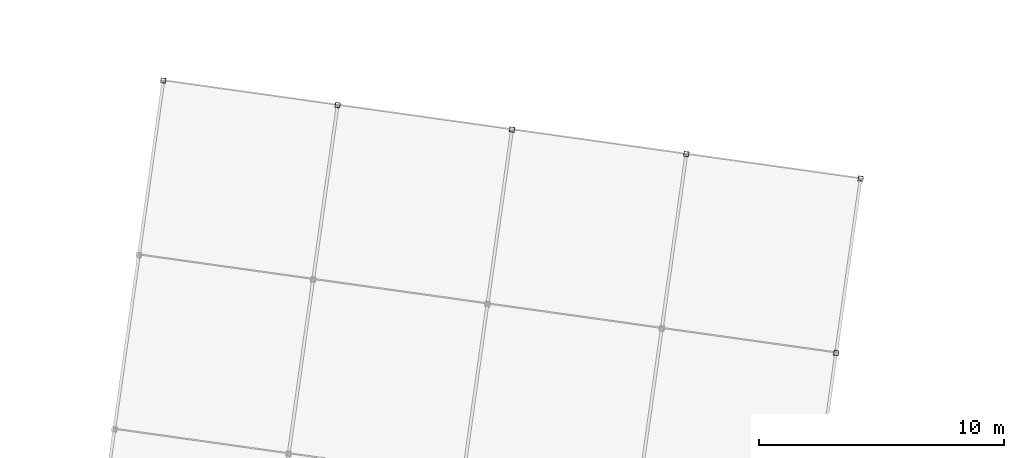
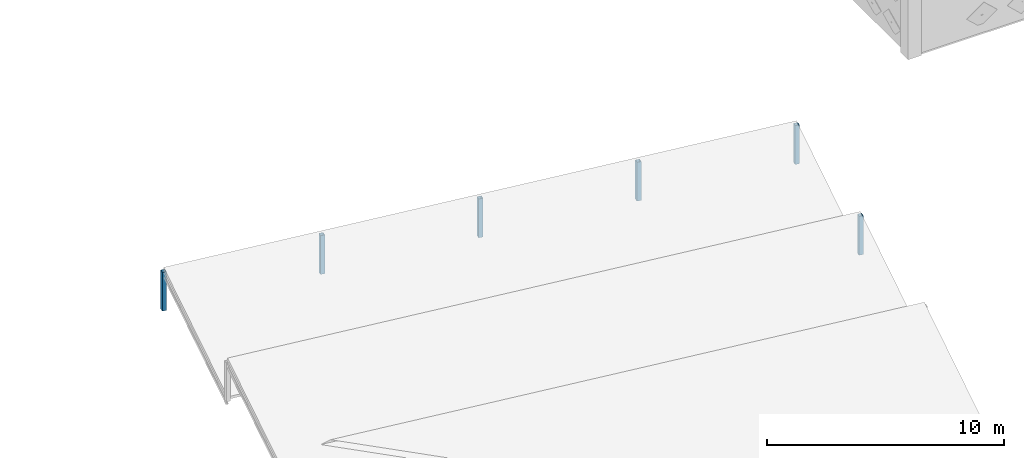
# One storey, part 3 of 48: 6 columns.
"""IFC4 building model written with IfcOpenShell, lengths in metres."""

from ifc_helpers import new_model, si_unit, direction, frame, origin, origin_2d, place, context, subcontext, project, spatial, hollow_rectangle, extrude, material, material_profile, profile_set, type_object, element, save


model = new_model("IFC4")

# Units and contexts
model_context = context("Model", 3, precision=1e-05, world=origin(), true_north=direction((0.0, 1.0)))
body_context = subcontext(model_context, "Body", "Model", "MODEL_VIEW")
ifc_project = project(units=[si_unit("LENGTHUNIT", "METRE"), si_unit("AREAUNIT", "SQUARE_METRE"), si_unit("VOLUMEUNIT", "CUBIC_METRE"), si_unit("PLANEANGLEUNIT", "RADIAN"), si_unit("MASSUNIT", "GRAM", prefix="KILO")], contexts=[model_context])

# Site, building, storey
site_placement = place(None, origin())
site = spatial("IfcSite", under=ifc_project, at=site_placement, CompositionType="ELEMENT")
building_placement = place(site_placement, origin())
building = spatial("IfcBuilding", under=site, at=building_placement, Name="Kharisveld Research Institute", CompositionType="ELEMENT")
storey_placement = place(building_placement, frame((0.0, 0.0, 14.10009765625)))
storey = spatial("IfcBuildingStorey", under=building, at=storey_placement, Name="L03", CompositionType="ELEMENT", Elevation=14.10009765625)

# Columns
ifc_material = material(Name="Steel S355J2H", Category="steel")
ifc_material_profile = material_profile(ifc_material, hollow_rectangle(XDim=0.199951171875, YDim=0.199951171875, WallThickness=0.010009765625, at=origin_2d()))
ifc_profile_set = profile_set([ifc_material_profile], Name="Steel S355J2H")
column_type = type_object("IfcColumnType", Name="COL_ST_SHS200", PredefinedType="COLUMN", material=ifc_profile_set)
for number, where, z_axis, x_axis, name in (
    (1, (105.52392578125, 27.751708984375, -0.175048828125), (0.0, 0.0, 1.0), (0.990268068742, -0.13917310096, 0.0), "COL:V4:L03:SAWPOST_1_4"),
    (2, (78.006103515625, 38.889892578125, -0.175048828125), (0.0, 0.0, 1.0), (0.990268068742, -0.13917310096, 0.0), "COL:V4:L03:SAWPOST_2_0"),
    (3, (85.135986328125, 37.8876953125, -0.175048828125), (0.0, 0.0, 1.0), (0.990268068742, -0.13917310096, 0.0), "COL:V4:L03:SAWPOST_2_1"),
    (4, (92.26611328125, 36.8857421875, -0.175048828125), (0.0, 0.0, 1.0), (0.990268068742, -0.13917310096, 0.0), "COL:V4:L03:SAWPOST_2_2"),
    (5, (99.39599609375, 35.883544921875, -0.175048828125), (0.0, 0.0, 1.0), (0.990268068742, -0.13917310096, 0.0), "COL:V4:L03:SAWPOST_2_3"),
    (6, (106.52587890625, 34.881591796875, -0.175048828125), (0.0, 0.0, 1.0), (0.990268068742, -0.13917310096, 0.0), "COL:V4:L03:SAWPOST_2_4"),
):
    element("IfcColumn", number, at=place(storey_placement, frame(where, z_axis=z_axis, x_axis=x_axis)), inside=storey, type_object=column_type, Name=name, PredefinedType="COLUMN", context=body_context, shape_type="SweptSolid", body=[
        extrude(hollow_rectangle(XDim=0.199951171875, YDim=0.199951171875, WallThickness=0.010009765625, at=origin_2d()), origin(), (0.0, 0.0, 1.0), 2.0),
    ])

save(model, "model.ifc")
